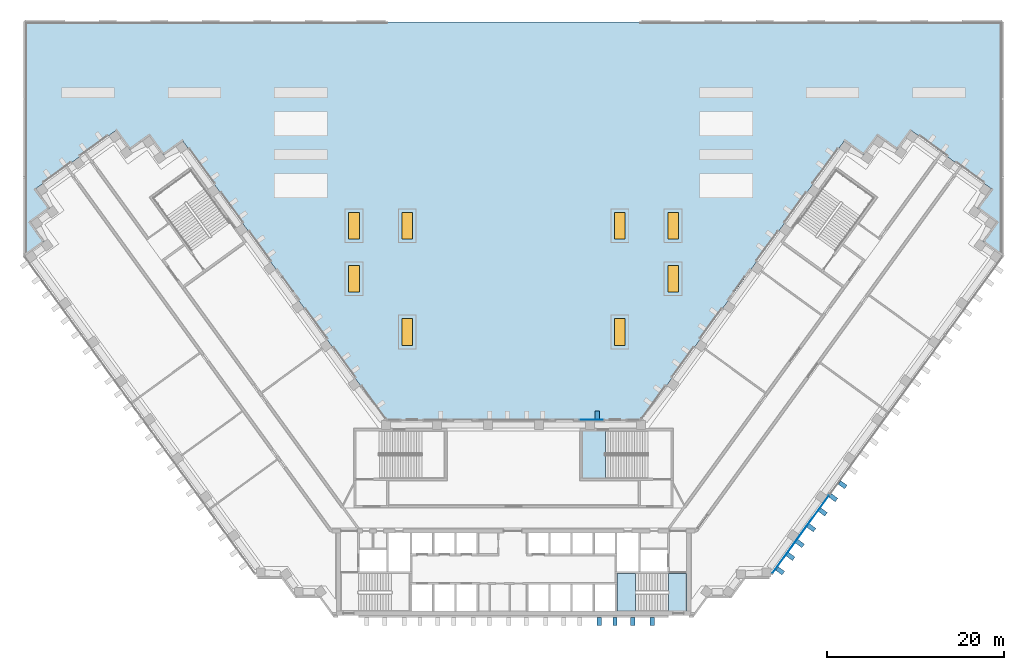
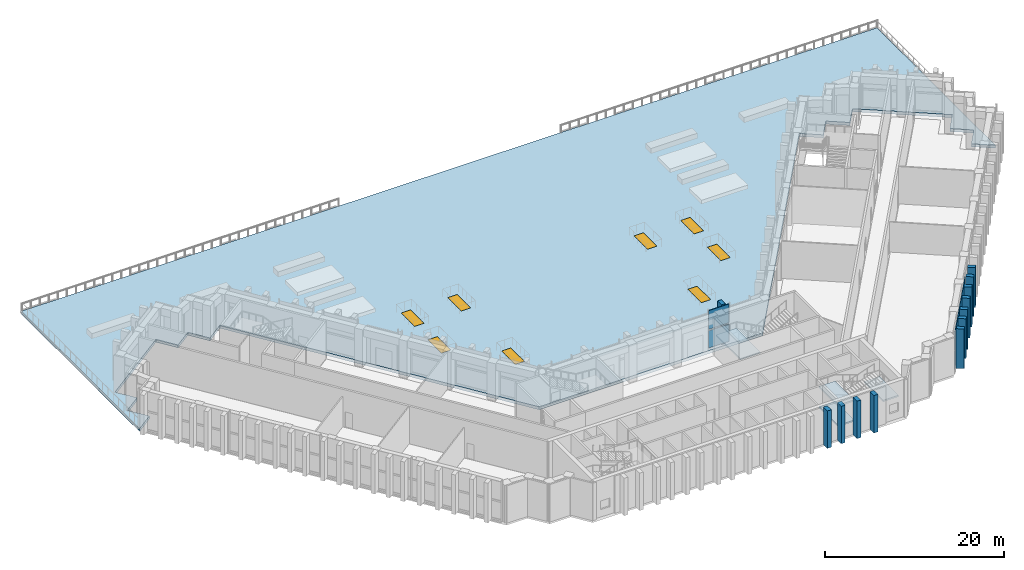
# One storey, part 11 of 25: 16 plates, 8 windows, 5 slabs, 8 openings, 4 elements without a shape of their own.
"""IFC4 building model written with IfcOpenShell, lengths in metres."""

from ifc_helpers import new_model, si_unit, direction, frame, origin, origin_2d, place, context, subcontext, project, spatial, polyline, rectangle, outline, extrude, material, layer, layer_set, type_object, element, fill, aggregate, save


model = new_model("IFC4")

# Units and contexts
model_context = context("Model", 3, precision=1e-05, world=origin(), true_north=direction((0.0, 1.0)))
body_context = subcontext(model_context, "Body", "Model", "MODEL_VIEW")
ifc_project = project(units=[si_unit("LENGTHUNIT", "METRE"), si_unit("AREAUNIT", "SQUARE_METRE"), si_unit("VOLUMEUNIT", "CUBIC_METRE"), si_unit("PLANEANGLEUNIT", "RADIAN"), si_unit("MASSUNIT", "GRAM", prefix="KILO")], contexts=[model_context])

# Site, building, storey
site_placement = place(None, origin())
site = spatial("IfcSite", under=ifc_project, at=site_placement, CompositionType="ELEMENT")
building_placement = place(site_placement, origin())
building = spatial("IfcBuilding", under=site, at=building_placement, Name="Quipu Civic Tower", CompositionType="ELEMENT")
storey_placement = place(building_placement, frame((0.0, 0.0, 6.0)))
storey = spatial("IfcBuildingStorey", under=building, at=storey_placement, Name="L01", CompositionType="ELEMENT", Elevation=6.0)

# Slab, openings, windows
ifc_material_1 = material(Name="Concrete C40/50", Category="concrete")
ifc_layer_1 = layer(ifc_material_1, 0.39990234375)
ifc_layer_set_1 = layer_set([ifc_layer_1], Name="Concrete C40/50")
slab_type_1 = type_object("IfcSlabType", Name="Garden deck slab 400 C40/50", PredefinedType="FLOOR", material=ifc_layer_set_1)
slab_1_placement = place(storey_placement, frame((0.0, 0.0, -0.39990234375)))
slab_1 = element("IfcSlab", 1, at=slab_1_placement, inside=storey, type_object=slab_type_1, Name="Garden deck slab", PredefinedType="FLOOR", context=body_context, shape_type="SweptSolid", body=[
    extrude(outline(polyline([(-55.114990234375, 56.0), (55.114990234375, 56.0), (55.114990234375, 29.739990234375), (55.094970703125, 29.739990234375), (55.114990234375, 29.614990234375), (52.929931640625, 31.205078125), (54.514892578125, 33.389892578125), (52.3349609375, 34.97509765625), (53.919921875, 37.159912109375), (44.860107421875, 43.739990234375), (43.27001953125, 41.56005859375), (41.0849609375, 43.14501953125), (39.5, 40.9599609375), (37.31494140625, 42.550048828125), (14.39501953125, 11.0), (-14.39501953125, 11.0), (-37.31494140625, 42.550048828125), (-39.5, 40.9599609375), (-41.0849609375, 43.14501953125), (-43.27001953125, 41.56005859375), (-44.860107421875, 43.739990234375), (-53.919921875, 37.159912109375), (-52.3349609375, 34.97509765625), (-54.514892578125, 33.389892578125), (-52.929931640625, 31.205078125), (-55.114990234375, 29.614990234375), (-55.094970703125, 29.739990234375), (-55.114990234375, 29.739990234375), (-55.114990234375, 56.0)])), origin(), (0.0, 0.0, 1.0), 0.39990234375),
])
opening_1_placement = place(slab_1_placement, frame((-12.0, 21.0, 0.0)))
opening_1 = element("IfcOpeningElement", 2, at=opening_1_placement, cuts=slab_1, Name="Opening SK-L01-1", PredefinedType="OPENING", context=body_context, shape_type="SweptSolid", body=[
    extrude(rectangle(XDim=1.199951171875, YDim=3.0, at=origin_2d()), origin(), (0.0, 0.0, 1.0), 0.39990234375),
])
opening_2_placement = place(slab_1_placement, frame((12.0, 21.0, 0.0)))
opening_2 = element("IfcOpeningElement", 3, at=opening_2_placement, cuts=slab_1, Name="Opening SK-L01-2", PredefinedType="OPENING", context=body_context, shape_type="SweptSolid", body=[
    extrude(rectangle(XDim=1.199951171875, YDim=3.0, at=origin_2d()), origin(), (0.0, 0.0, 1.0), 0.39990234375),
])
opening_3_placement = place(slab_1_placement, frame((-18.0, 27.0, 0.0)))
opening_3 = element("IfcOpeningElement", 4, at=opening_3_placement, cuts=slab_1, Name="Opening SK-L01-3", PredefinedType="OPENING", context=body_context, shape_type="SweptSolid", body=[
    extrude(rectangle(XDim=1.199951171875, YDim=3.0, at=origin_2d()), origin(), (0.0, 0.0, 1.0), 0.39990234375),
])
opening_4_placement = place(slab_1_placement, frame((18.0, 27.0, 0.0)))
opening_4 = element("IfcOpeningElement", 5, at=opening_4_placement, cuts=slab_1, Name="Opening SK-L01-4", PredefinedType="OPENING", context=body_context, shape_type="SweptSolid", body=[
    extrude(rectangle(XDim=1.199951171875, YDim=3.0, at=origin_2d()), origin(), (0.0, 0.0, 1.0), 0.39990234375),
])
opening_5_placement = place(slab_1_placement, frame((-18.0, 33.0, 0.0)))
opening_5 = element("IfcOpeningElement", 6, at=opening_5_placement, cuts=slab_1, Name="Opening SK-L01-5", PredefinedType="OPENING", context=body_context, shape_type="SweptSolid", body=[
    extrude(rectangle(XDim=1.199951171875, YDim=3.0, at=origin_2d()), origin(), (0.0, 0.0, 1.0), 0.39990234375),
])
opening_6_placement = place(slab_1_placement, frame((-12.0, 33.0, 0.0)))
opening_6 = element("IfcOpeningElement", 7, at=opening_6_placement, cuts=slab_1, Name="Opening SK-L01-6", PredefinedType="OPENING", context=body_context, shape_type="SweptSolid", body=[
    extrude(rectangle(XDim=1.199951171875, YDim=3.0, at=origin_2d()), origin(), (0.0, 0.0, 1.0), 0.39990234375),
])
opening_7_placement = place(slab_1_placement, frame((12.0, 33.0, 0.0)))
opening_7 = element("IfcOpeningElement", 8, at=opening_7_placement, cuts=slab_1, Name="Opening SK-L01-7", PredefinedType="OPENING", context=body_context, shape_type="SweptSolid", body=[
    extrude(rectangle(XDim=1.199951171875, YDim=3.0, at=origin_2d()), origin(), (0.0, 0.0, 1.0), 0.39990234375),
])
opening_8_placement = place(slab_1_placement, frame((18.0, 33.0, 0.0)))
opening_8 = element("IfcOpeningElement", 9, at=opening_8_placement, cuts=slab_1, Name="Opening SK-L01-8", PredefinedType="OPENING", context=body_context, shape_type="SweptSolid", body=[
    extrude(rectangle(XDim=1.199951171875, YDim=3.0, at=origin_2d()), origin(), (0.0, 0.0, 1.0), 0.39990234375),
])
ifc_material_2 = material(Name="Laminated glass rooflight", Category="glass")
window_type = type_object("IfcWindowType", Name="Hall rooflight RL1", PartitioningType="SINGLE_PANEL", PredefinedType="SKYLIGHT", material=ifc_material_2)
window_1_placement = place(opening_1_placement, frame((0.0, 0.0, 0.349853515625)))
window_1 = element("IfcWindow", 10, at=window_1_placement, inside=storey, type_object=window_type, Name="Hall rooflight 1", OverallHeight=3.0, OverallWidth=1.199951171875, PartitioningType="SINGLE_PANEL", PredefinedType="SKYLIGHT", context=body_context, shape_type="SweptSolid", body=[
    extrude(rectangle(XDim=1.199951171875, YDim=3.0, at=origin_2d()), origin(), (0.0, 0.0, 1.0), 0.050048828125),
])
fill(opening_1, window_1)
window_2_placement = place(opening_2_placement, frame((0.0, 0.0, 0.349853515625)))
window_2 = element("IfcWindow", 11, at=window_2_placement, inside=storey, type_object=window_type, Name="Hall rooflight 2", OverallHeight=3.0, OverallWidth=1.199951171875, PartitioningType="SINGLE_PANEL", PredefinedType="SKYLIGHT", context=body_context, shape_type="SweptSolid", body=[
    extrude(rectangle(XDim=1.199951171875, YDim=3.0, at=origin_2d()), origin(), (0.0, 0.0, 1.0), 0.050048828125),
])
fill(opening_2, window_2)
window_3_placement = place(opening_3_placement, frame((0.0, 0.0, 0.349853515625)))
window_3 = element("IfcWindow", 12, at=window_3_placement, inside=storey, type_object=window_type, Name="Hall rooflight 3", OverallHeight=3.0, OverallWidth=1.199951171875, PartitioningType="SINGLE_PANEL", PredefinedType="SKYLIGHT", context=body_context, shape_type="SweptSolid", body=[
    extrude(rectangle(XDim=1.199951171875, YDim=3.0, at=origin_2d()), origin(), (0.0, 0.0, 1.0), 0.050048828125),
])
fill(opening_3, window_3)
window_4_placement = place(opening_4_placement, frame((0.0, 0.0, 0.349853515625)))
window_4 = element("IfcWindow", 13, at=window_4_placement, inside=storey, type_object=window_type, Name="Hall rooflight 4", OverallHeight=3.0, OverallWidth=1.199951171875, PartitioningType="SINGLE_PANEL", PredefinedType="SKYLIGHT", context=body_context, shape_type="SweptSolid", body=[
    extrude(rectangle(XDim=1.199951171875, YDim=3.0, at=origin_2d()), origin(), (0.0, 0.0, 1.0), 0.050048828125),
])
fill(opening_4, window_4)
window_5_placement = place(opening_5_placement, frame((0.0, 0.0, 0.349853515625)))
window_5 = element("IfcWindow", 14, at=window_5_placement, inside=storey, type_object=window_type, Name="Hall rooflight 5", OverallHeight=3.0, OverallWidth=1.199951171875, PartitioningType="SINGLE_PANEL", PredefinedType="SKYLIGHT", context=body_context, shape_type="SweptSolid", body=[
    extrude(rectangle(XDim=1.199951171875, YDim=3.0, at=origin_2d()), origin(), (0.0, 0.0, 1.0), 0.050048828125),
])
fill(opening_5, window_5)
window_6_placement = place(opening_6_placement, frame((0.0, 0.0, 0.349853515625)))
window_6 = element("IfcWindow", 15, at=window_6_placement, inside=storey, type_object=window_type, Name="Hall rooflight 6", OverallHeight=3.0, OverallWidth=1.199951171875, PartitioningType="SINGLE_PANEL", PredefinedType="SKYLIGHT", context=body_context, shape_type="SweptSolid", body=[
    extrude(rectangle(XDim=1.199951171875, YDim=3.0, at=origin_2d()), origin(), (0.0, 0.0, 1.0), 0.050048828125),
])
fill(opening_6, window_6)
window_7_placement = place(opening_7_placement, frame((0.0, 0.0, 0.349853515625)))
window_7 = element("IfcWindow", 16, at=window_7_placement, inside=storey, type_object=window_type, Name="Hall rooflight 7", OverallHeight=3.0, OverallWidth=1.199951171875, PartitioningType="SINGLE_PANEL", PredefinedType="SKYLIGHT", context=body_context, shape_type="SweptSolid", body=[
    extrude(rectangle(XDim=1.199951171875, YDim=3.0, at=origin_2d()), origin(), (0.0, 0.0, 1.0), 0.050048828125),
])
fill(opening_7, window_7)
window_8_placement = place(opening_8_placement, frame((0.0, 0.0, 0.349853515625)))
window_8 = element("IfcWindow", 17, at=window_8_placement, inside=storey, type_object=window_type, Name="Hall rooflight 8", OverallHeight=3.0, OverallWidth=1.199951171875, PartitioningType="SINGLE_PANEL", PredefinedType="SKYLIGHT", context=body_context, shape_type="SweptSolid", body=[
    extrude(rectangle(XDim=1.199951171875, YDim=3.0, at=origin_2d()), origin(), (0.0, 0.0, 1.0), 0.050048828125),
])
fill(opening_8, window_8)

# Curtain wall, plates
ifc_material_3 = material(Name="Insulated glass unit", Category="glass")
curtain_wall_type = type_object("IfcCurtainWallType", Name="Council chamber curtain wall CW4", PredefinedType="NOTDEFINED", material=ifc_material_3)
curtain_wall_1_placement = place(storey_placement, origin())
curtain_wall_1 = element("IfcCurtainWall", 18, at=curtain_wall_1_placement, inside=storey, type_object=curtain_wall_type, Name="Council chamber curtain wall CW4 L01 run 34", PredefinedType="NOTDEFINED")
ifc_material_4 = material(Name="Insulated glass unit", Category="glass")
ifc_layer_2 = layer(ifc_material_4, 0.048095703125)
ifc_layer_set_2 = layer_set([ifc_layer_2], Name="Insulated glass unit")
plate_type_1 = type_object("IfcPlateType", Name="Glass panel CW4", PredefinedType="CURTAIN_PANEL", material=ifc_layer_set_2)
plate_1_placement = place(storey_placement, frame((32.39794921875, -1.8203125, 0.300048828125), z_axis=(0.0, 0.0, 1.0), x_axis=(0.587785356329, 0.809016918788, 0.0)))
plate_1 = element("IfcPlate", 19, at=plate_1_placement, type_object=plate_type_1, Name="CW4 panel 1.1", PredefinedType="CURTAIN_PANEL", context=body_context, shape_type="SweptSolid", body=[
    extrude(rectangle(XDim=10.881591796875, YDim=0.048095703125, at=origin_2d()), origin(), (0.0, 0.0, 1.0), 2.35009765625),
])
plate_2_placement = place(storey_placement, frame((32.39794921875, -1.8203125, 2.85009765625), z_axis=(0.0, 0.0, 1.0), x_axis=(0.587785356329, 0.809016918788, 0.0)))
plate_2 = element("IfcPlate", 20, at=plate_2_placement, type_object=plate_type_1, Name="CW4 panel 1.2", PredefinedType="CURTAIN_PANEL", context=body_context, shape_type="SweptSolid", body=[
    extrude(rectangle(XDim=10.881591796875, YDim=0.048095703125, at=origin_2d()), origin(), (0.0, 0.0, 1.0), 2.550048828125),
])
aggregate(curtain_wall_1, [plate_1, plate_2])

curtain_wall_2_placement = place(storey_placement, origin())
curtain_wall_2 = element("IfcCurtainWall", 21, at=curtain_wall_2_placement, inside=storey, type_object=curtain_wall_type, Name="Council chamber curtain wall CW4 L01 run 56", PredefinedType="NOTDEFINED")
plate_3_placement = place(storey_placement, frame((8.797607421875, 11.10009765625, 0.300048828125), z_axis=(0.0, 0.0, 1.0), x_axis=(-1.0, 0.0, 0.0)))
plate_3 = element("IfcPlate", 22, at=plate_3_placement, type_object=plate_type_1, Name="CW4 panel 1.1", PredefinedType="CURTAIN_PANEL", context=body_context, shape_type="SweptSolid", body=[
    extrude(rectangle(XDim=2.611572265625, YDim=0.048095703125, at=origin_2d()), origin(), (0.0, 0.0, 1.0), 2.35009765625),
])
plate_4_placement = place(storey_placement, frame((8.797607421875, 11.10009765625, 2.85009765625), z_axis=(0.0, 0.0, 1.0), x_axis=(-1.0, 0.0, 0.0)))
plate_4 = element("IfcPlate", 23, at=plate_4_placement, type_object=plate_type_1, Name="CW4 panel 1.2", PredefinedType="CURTAIN_PANEL", context=body_context, shape_type="SweptSolid", body=[
    extrude(rectangle(XDim=2.611572265625, YDim=0.048095703125, at=origin_2d()), origin(), (0.0, 0.0, 1.0), 2.550048828125),
])
aggregate(curtain_wall_2, [plate_3, plate_4])

# Plates
ifc_material_5 = material(Name="Precast concrete C40/50", Category="concrete")
plate_type_2 = type_object("IfcPlateType", Name="Precast fin F0", PredefinedType="SHEET", material=ifc_material_5)
for number, where, z_axis, x_axis, name in (
    (24, (9.64990234375, -11.637939453125, 0.0), (0.0, 0.0, 1.0), (1.0, 0.0, 0.0), "Precast fin F0 L01.27.14"),
    (25, (11.449951171875, -11.637939453125, 0.0), (0.0, 0.0, 1.0), (1.0, 0.0, 0.0), "Precast fin F0 L01.27.15"),
    (26, (13.449951171875, -11.637939453125, 0.0), (0.0, 0.0, 1.0), (1.0, 0.0, 0.0), "Precast fin F0 L01.27.16"),
    (27, (15.64990234375, -11.637939453125, 0.0), (0.0, 0.0, 1.0), (1.0, 0.0, 0.0), "Precast fin F0 L01.27.17"),
):
    element("IfcPlate", number, at=place(storey_placement, frame(where, z_axis=z_axis, x_axis=x_axis)), inside=storey, type_object=plate_type_2, Name=name, PredefinedType="SHEET", context=body_context, shape_type="SweptSolid", body=[
        extrude(rectangle(XDim=0.5, YDim=0.89990234375, at=origin_2d()), origin(), (0.0, 0.0, 1.0), 5.10009765625),
    ])
for number, where, z_axis, x_axis, name in (
    (28, (30.079345703125, -5.947021484375, 0.10009765625), (0.0, 0.0, 1.0), (0.587785716149, 0.809016657363, 0.0), "Precast fin F0 L01.34.1"),
    (29, (31.255126953125, -4.328857421875, 0.10009765625), (0.0, 0.0, 1.0), (0.587785716149, 0.809016657363, 0.0), "Precast fin F0 L01.34.2"),
    (30, (32.31298828125, -2.872802734375, 0.10009765625), (0.0, 0.0, 1.0), (0.587785716149, 0.809016657363, 0.0), "Precast fin F0 L01.34.3"),
    (31, (33.606201171875, -1.0927734375, 0.10009765625), (0.0, 0.0, 1.0), (0.587785716149, 0.809016657363, 0.0), "Precast fin F0 L01.34.4"),
    (32, (34.8994140625, 0.68701171875, 0.10009765625), (0.0, 0.0, 1.0), (0.587785716149, 0.809016657363, 0.0), "Precast fin F0 L01.34.5"),
    (33, (36.074951171875, 2.304931640625, 0.10009765625), (0.0, 0.0, 1.0), (0.587785716149, 0.809016657363, 0.0), "Precast fin F0 L01.34.6"),
    (34, (37.1328125, 3.76123046875, 0.10009765625), (0.0, 0.0, 1.0), (0.587785716149, 0.809016657363, 0.0), "Precast fin F0 L01.34.7"),
    (35, (9.449951171875, 11.64990234375, 0.10009765625), (0.0, 0.0, 1.0), (-1.0, 0.0, 0.0), "Precast fin F0 L01.56.1"),
):
    element("IfcPlate", number, at=place(storey_placement, frame(where, z_axis=z_axis, x_axis=x_axis)), inside=storey, type_object=plate_type_2, Name=name, PredefinedType="SHEET", context=body_context, shape_type="SweptSolid", body=[
        extrude(rectangle(XDim=0.5, YDim=0.89990234375, at=origin_2d()), origin(), (0.0, 0.0, 1.0), 5.39990234375),
    ])

# Stair, slabs
ifc_material_6 = material(Name="Concrete C40/50", Category="concrete")
stair_type_1 = type_object("IfcStairType", Name="Half turn stair 2000", PredefinedType="HALF_TURN_STAIR", material=ifc_material_6)
stair_1_placement = place(storey_placement, origin())
stair_1 = element("IfcStair", 36, at=stair_1_placement, inside=storey, type_object=stair_type_1, Name="Exit stair 2", PredefinedType="HALF_TURN_STAIR")
ifc_material_7 = material(Name="Concrete C40/50", Category="concrete")
ifc_layer_3 = layer(ifc_material_7, 0.199951171875)
ifc_layer_set_3 = layer_set([ifc_layer_3], Name="Concrete C40/50")
slab_type_2 = type_object("IfcSlabType", Name="Stair landing 200", PredefinedType="LANDING", material=ifc_layer_set_3)
slab_2_placement = place(storey_placement, frame((0.0, 0.0, 1.175048828125)))
slab_2 = element("IfcSlab", 37, at=slab_2_placement, type_object=slab_type_2, Name="ST-2 landing 1", PredefinedType="LANDING", context=body_context, shape_type="SweptSolid", body=[
    extrude(outline(polyline([(13.780029296875, -6.25), (11.699951171875, -6.25), (11.699951171875, -10.5), (13.780029296875, -10.5), (13.780029296875, -6.25)])), origin(), (0.0, 0.0, 1.0), 0.199951171875),
])
slab_3_placement = place(storey_placement, frame((0.0, 0.0, 2.550048828125)))
slab_3 = element("IfcSlab", 38, at=slab_3_placement, type_object=slab_type_2, Name="ST-2 landing 2", PredefinedType="LANDING", context=body_context, shape_type="SweptSolid", body=[
    extrude(outline(polyline([(19.5, -6.25), (17.5, -6.25), (17.5, -10.5), (19.5, -10.5), (19.5, -6.25)])), origin(), (0.0, 0.0, 1.0), 0.199951171875),
])
slab_4_placement = place(storey_placement, frame((0.0, 0.0, 3.925048828125)))
slab_4 = element("IfcSlab", 39, at=slab_4_placement, type_object=slab_type_2, Name="ST-2 landing 3", PredefinedType="LANDING", context=body_context, shape_type="SweptSolid", body=[
    extrude(outline(polyline([(13.780029296875, -6.25), (11.699951171875, -6.25), (11.699951171875, -10.5), (13.780029296875, -10.5), (13.780029296875, -6.25)])), origin(), (0.0, 0.0, 1.0), 0.199951171875),
])
aggregate(stair_1, [slab_2, slab_3, slab_4])

# Stair, slab
ifc_material_8 = material(Name="Concrete C40/50", Category="concrete")
stair_type_2 = type_object("IfcStairType", Name="Half turn stair 2600", PredefinedType="HALF_TURN_STAIR", material=ifc_material_8)
stair_2_placement = place(storey_placement, origin())
stair_2 = element("IfcStair", 40, at=stair_2_placement, inside=storey, type_object=stair_type_2, Name="Exit stair 4", PredefinedType="HALF_TURN_STAIR")
slab_5_placement = place(storey_placement, frame((0.0, 0.0, 2.550048828125)))
slab_5 = element("IfcSlab", 41, at=slab_5_placement, type_object=slab_type_2, Name="ST-4 landing 1", PredefinedType="LANDING", context=body_context, shape_type="SweptSolid", body=[
    extrude(outline(polyline([(10.35009765625, 9.85009765625), (7.75, 9.85009765625), (7.75, 4.5), (10.35009765625, 4.5), (10.35009765625, 9.85009765625)])), origin(), (0.0, 0.0, 1.0), 0.199951171875),
])
aggregate(stair_2, [slab_5])

save(model, "model.ifc")
